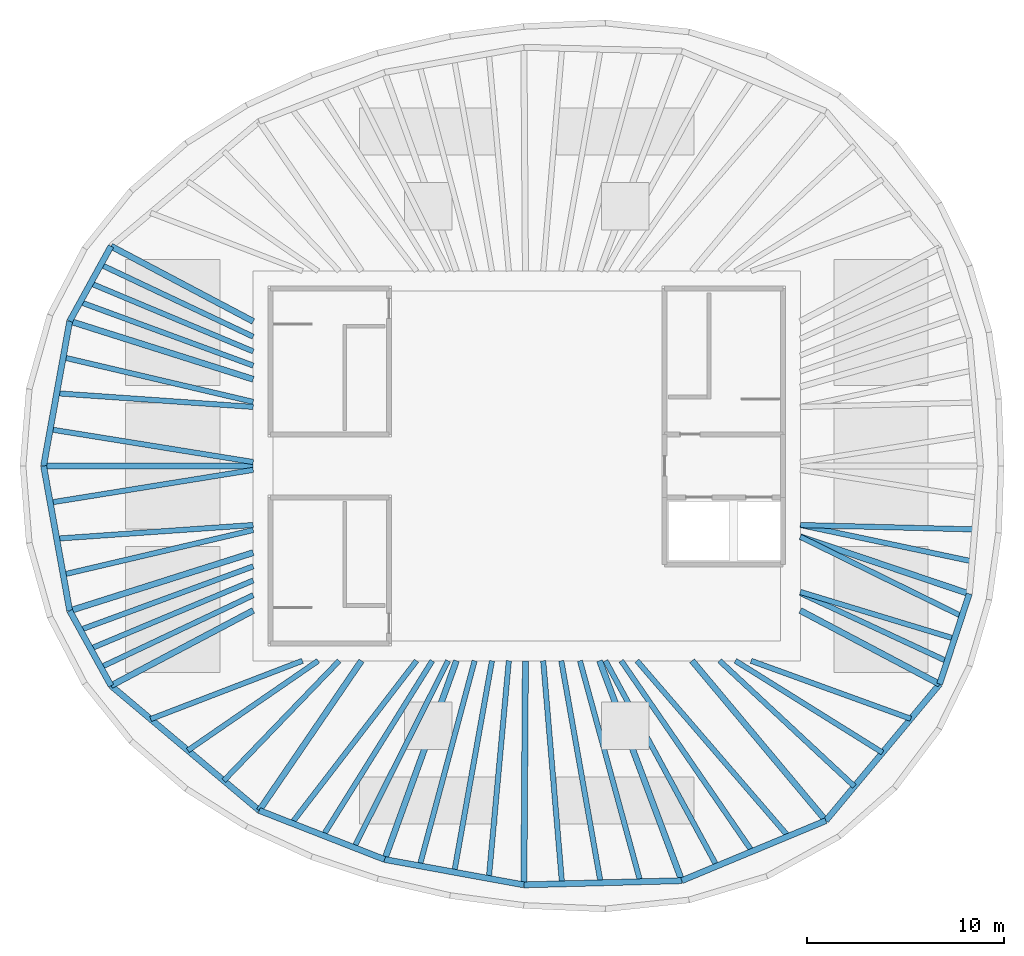
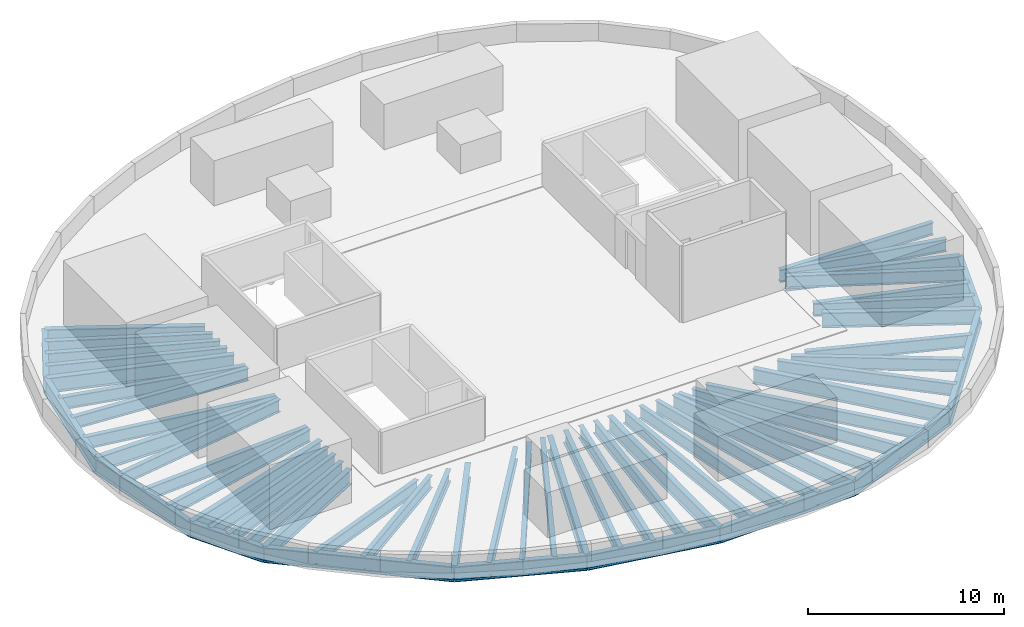
# One storey, part 1 of 6: 58 beams.
"""IFC4 building model written with IfcOpenShell, lengths in metres."""

from ifc_helpers import new_model, si_unit, direction, frame, origin, origin_2d, place, context, subcontext, project, spatial, i_section, extrude, material, material_profile, profile_set, type_object, element, save


model = new_model("IFC4")

# Units and contexts
model_context = context("Model", 3, precision=1e-05, world=origin(), true_north=direction((0.0, 1.0)))
body_context = subcontext(model_context, "Body", "Model", "MODEL_VIEW")
ifc_project = project(units=[si_unit("LENGTHUNIT", "METRE"), si_unit("AREAUNIT", "SQUARE_METRE"), si_unit("VOLUMEUNIT", "CUBIC_METRE"), si_unit("PLANEANGLEUNIT", "RADIAN"), si_unit("MASSUNIT", "GRAM", prefix="KILO")], contexts=[model_context])

# Site, building, storey
site_placement = place(None, origin())
site = spatial("IfcSite", under=ifc_project, at=site_placement, CompositionType="ELEMENT")
building_placement = place(site_placement, origin())
building = spatial("IfcBuilding", under=site, at=building_placement, Name="Ghaith Harvest Tower", CompositionType="ELEMENT")
storey_placement = place(building_placement, frame((0.0, 0.0, 349.199951171875)))
storey = spatial("IfcBuildingStorey", under=building, at=storey_placement, Name="RF", CompositionType="ELEMENT", Elevation=349.199951171875)

# Beams
ifc_material_1 = material(Name="Steel ASTM A992 Grade 50", Category="steel")
ifc_material_profile_1 = material_profile(ifc_material_1, i_section(OverallWidth=0.306884765625, OverallDepth=0.94189453125, WebThickness=0.022216796875, FlangeThickness=0.039794921875, at=origin_2d()), Name="W920X345")
ifc_profile_set_1 = profile_set([ifc_material_profile_1], Name="Steel ASTM A992 Grade 50")
beam_type_1 = type_object("IfcBeamType", Name="E920-345 W920X345", PredefinedType="SPANDREL", material=ifc_profile_set_1)
beam_1_placement = place(storey_placement, frame((-21.125, 11.166015625, -0.821044921875), z_axis=(-0.482955575345, -0.875644855089, 0.0), x_axis=(0.875644855089, -0.482955575345, 0.0)))
element("IfcBeam", 1, at=beam_1_placement, inside=storey, type_object=beam_type_1, Name="Edge beam E09 RF", PredefinedType="SPANDREL", context=body_context, shape_type="SweptSolid", body=[
    extrude(i_section(OverallWidth=0.306884765625, OverallDepth=0.94189453125, WebThickness=0.022216796875, FlangeThickness=0.039794921875, at=origin_2d()), origin(), (0.0, 0.0, 1.0), 4.346435546875),
])
for number, where, z_axis, x_axis, name in (
    (2, (-23.22412109375, 7.360107421875, -0.821044921875), (-0.177296554745, -0.984157473007, 0.0), (0.984157473007, -0.177296554745, 0.0), "Edge beam E10 RF"),
    (3, (-24.550048828125, 0.0, -0.821044921875), (0.177296554745, -0.984157473007, 0.0), (0.984157473007, 0.177296554745, 0.0), "Edge beam E11 RF"),
):
    element("IfcBeam", number, at=place(storey_placement, frame(where, z_axis=z_axis, x_axis=x_axis)), inside=storey, type_object=beam_type_1, Name=name, PredefinedType="SPANDREL", context=body_context, shape_type="SweptSolid", body=[
        extrude(i_section(OverallWidth=0.306884765625, OverallDepth=0.94189453125, WebThickness=0.022216796875, FlangeThickness=0.039794921875, at=origin_2d()), origin(), (0.0, 0.0, 1.0), 7.478515625),
    ])
beam_2_placement = place(storey_placement, frame((-23.22412109375, -7.360107421875, -0.821044921875), z_axis=(0.482955575345, -0.875644855089, 0.0), x_axis=(0.875644855089, 0.482955575345, 0.0)))
element("IfcBeam", 4, at=beam_2_placement, inside=storey, type_object=beam_type_1, Name="Edge beam E12 RF", PredefinedType="SPANDREL", context=body_context, shape_type="SweptSolid", body=[
    extrude(i_section(OverallWidth=0.306884765625, OverallDepth=0.94189453125, WebThickness=0.022216796875, FlangeThickness=0.039794921875, at=origin_2d()), origin(), (0.0, 0.0, 1.0), 4.346435546875),
])
beam_3_placement = place(storey_placement, frame((-21.125, -11.166015625, -0.821044921875), z_axis=(0.765021818761, -0.64400436087, 0.0), x_axis=(0.64400436087, 0.765021818761, 0.0)))
element("IfcBeam", 5, at=beam_3_placement, inside=storey, type_object=beam_type_1, Name="Edge beam E13 RF", PredefinedType="SPANDREL", context=body_context, shape_type="SweptSolid", body=[
    extrude(i_section(OverallWidth=0.306884765625, OverallDepth=0.94189453125, WebThickness=0.022216796875, FlangeThickness=0.039794921875, at=origin_2d()), origin(), (0.0, 0.0, 1.0), 9.8427734375),
])
beam_4_placement = place(storey_placement, frame((-13.594970703125, -17.5048828125, -0.821044921875), z_axis=(0.931322768207, -0.364194867371, 0.0), x_axis=(0.364194867371, 0.931322768207, 0.0)))
element("IfcBeam", 6, at=beam_4_placement, inside=storey, type_object=beam_type_1, Name="Edge beam E14 RF", PredefinedType="SPANDREL", context=body_context, shape_type="SweptSolid", body=[
    extrude(i_section(OverallWidth=0.306884765625, OverallDepth=0.94189453125, WebThickness=0.022216796875, FlangeThickness=0.039794921875, at=origin_2d()), origin(), (0.0, 0.0, 1.0), 6.843017578125),
])
beam_5_placement = place(storey_placement, frame((-7.221923828125, -19.9970703125, -0.821044921875), z_axis=(0.983813921429, -0.179193102551, 0.0), x_axis=(0.179193102551, 0.983813921429, 0.0)))
element("IfcBeam", 7, at=beam_5_placement, inside=storey, type_object=beam_type_1, Name="Edge beam E15 RF", PredefinedType="SPANDREL", context=body_context, shape_type="SweptSolid", body=[
    extrude(i_section(OverallWidth=0.306884765625, OverallDepth=0.94189453125, WebThickness=0.022216796875, FlangeThickness=0.039794921875, at=origin_2d()), origin(), (0.0, 0.0, 1.0), 7.1923828125),
])
beam_6_placement = place(storey_placement, frame((-0.14599609375, -21.285888671875, -0.821044921875), z_axis=(0.999644979696, 0.02664422206, 0.0), x_axis=(-0.02664422206, 0.999644979696, 0.0)))
element("IfcBeam", 8, at=beam_6_placement, inside=storey, type_object=beam_type_1, Name="Edge beam E16 RF", PredefinedType="SPANDREL", context=body_context, shape_type="SweptSolid", body=[
    extrude(i_section(OverallWidth=0.306884765625, OverallDepth=0.94189453125, WebThickness=0.022216796875, FlangeThickness=0.039794921875, at=origin_2d()), origin(), (0.0, 0.0, 1.0), 8.02685546875),
])
beam_7_placement = place(storey_placement, frame((7.8779296875, -21.072021484375, -0.821044921875), z_axis=(0.923119729219, 0.384512633766, 0.0), x_axis=(-0.384512633766, 0.923119729219, 0.0)))
element("IfcBeam", 9, at=beam_7_placement, inside=storey, type_object=beam_type_1, Name="Edge beam E17 RF", PredefinedType="SPANDREL", context=body_context, shape_type="SweptSolid", body=[
    extrude(i_section(OverallWidth=0.306884765625, OverallDepth=0.94189453125, WebThickness=0.022216796875, FlangeThickness=0.039794921875, at=origin_2d()), origin(), (0.0, 0.0, 1.0), 7.9296875),
])
beam_8_placement = place(storey_placement, frame((15.197998046875, -18.02294921875, -0.821044921875), z_axis=(0.640173759088, 0.76823014662, 0.0), x_axis=(-0.76823014662, 0.640173759088, 0.0)))
element("IfcBeam", 10, at=beam_8_placement, inside=storey, type_object=beam_type_1, Name="Edge beam E18 RF", PredefinedType="SPANDREL", context=body_context, shape_type="SweptSolid", body=[
    extrude(i_section(OverallWidth=0.306884765625, OverallDepth=0.94189453125, WebThickness=0.022216796875, FlangeThickness=0.039794921875, at=origin_2d()), origin(), (0.0, 0.0, 1.0), 9.02734375),
])
beam_9_placement = place(storey_placement, frame((20.97705078125, -11.087890625, -0.821044921875), z_axis=(0.312206727278, 0.950014189074, 0.0), x_axis=(-0.950014189074, 0.312206727278, 0.0)))
element("IfcBeam", 11, at=beam_9_placement, inside=storey, type_object=beam_type_1, Name="Edge beam E19 RF", PredefinedType="SPANDREL", context=body_context, shape_type="SweptSolid", body=[
    extrude(i_section(OverallWidth=0.306884765625, OverallDepth=0.94189453125, WebThickness=0.022216796875, FlangeThickness=0.039794921875, at=origin_2d()), origin(), (0.0, 0.0, 1.0), 4.830322265625),
])
ifc_material_2 = material(Name="Steel ASTM A992 Grade 50", Category="steel")
ifc_material_profile_2 = material_profile(ifc_material_2, i_section(OverallWidth=0.31005859375, OverallDepth=0.927001953125, WebThickness=0.019287109375, FlangeThickness=0.031982421875, at=origin_2d()), Name="W920X289")
ifc_profile_set_2 = profile_set([ifc_material_profile_2], Name="Steel ASTM A992 Grade 50")
beam_type_2 = type_object("IfcBeamType", Name="G920-289 W920X289", PredefinedType="BEAM", material=ifc_profile_set_2)
beam_10_placement = place(storey_placement, frame((-13.89990234375, 7.34716796875, -0.8134765625), z_axis=(-0.88410164037, 0.467294649546, 0.0), x_axis=(-0.467294649546, -0.88410164037, 0.0)))
element("IfcBeam", 12, at=beam_10_placement, inside=storey, type_object=beam_type_2, Name="Radial girder G09 RF", PredefinedType="BEAM", context=body_context, shape_type="SweptSolid", body=[
    extrude(i_section(OverallWidth=0.31005859375, OverallDepth=0.927001953125, WebThickness=0.019287109375, FlangeThickness=0.031982421875, at=origin_2d()), origin(), (0.0, 0.0, 1.0), 8.17236328125),
])
beam_11_placement = place(storey_placement, frame((-13.89990234375, 4.4052734375, -0.8134765625), z_axis=(-0.953278508772, 0.302092841215, 0.0), x_axis=(-0.302092841215, -0.953278508772, 0.0)))
element("IfcBeam", 13, at=beam_11_placement, inside=storey, type_object=beam_type_2, Name="Radial girder G10 RF", PredefinedType="BEAM", context=body_context, shape_type="SweptSolid", body=[
    extrude(i_section(OverallWidth=0.31005859375, OverallDepth=0.927001953125, WebThickness=0.019287109375, FlangeThickness=0.031982421875, at=origin_2d()), origin(), (0.0, 0.0, 1.0), 9.78125),
])
beam_12_placement = place(storey_placement, frame((-13.89990234375, 0.0, -0.8134765625), z_axis=(-1.0, 0.0, 0.0), x_axis=(0.0, -1.0, 0.0)))
element("IfcBeam", 14, at=beam_12_placement, inside=storey, type_object=beam_type_2, Name="Radial girder G11 RF", PredefinedType="BEAM", context=body_context, shape_type="SweptSolid", body=[
    extrude(i_section(OverallWidth=0.31005859375, OverallDepth=0.927001953125, WebThickness=0.019287109375, FlangeThickness=0.031982421875, at=origin_2d()), origin(), (0.0, 0.0, 1.0), 10.650146484375),
])
beam_13_placement = place(storey_placement, frame((-13.89990234375, -4.4052734375, -0.8134765625), z_axis=(-0.953278508772, -0.302092841215, 0.0), x_axis=(0.302092841215, -0.953278508772, 0.0)))
element("IfcBeam", 15, at=beam_13_placement, inside=storey, type_object=beam_type_2, Name="Radial girder G12 RF", PredefinedType="BEAM", context=body_context, shape_type="SweptSolid", body=[
    extrude(i_section(OverallWidth=0.31005859375, OverallDepth=0.927001953125, WebThickness=0.019287109375, FlangeThickness=0.031982421875, at=origin_2d()), origin(), (0.0, 0.0, 1.0), 9.78125),
])
beam_14_placement = place(storey_placement, frame((-13.89990234375, -7.34716796875, -0.8134765625), z_axis=(-0.88410164037, -0.467294649546, 0.0), x_axis=(0.467294649546, -0.88410164037, 0.0)))
element("IfcBeam", 16, at=beam_14_placement, inside=storey, type_object=beam_type_2, Name="Radial girder G13 RF", PredefinedType="BEAM", context=body_context, shape_type="SweptSolid", body=[
    extrude(i_section(OverallWidth=0.31005859375, OverallDepth=0.927001953125, WebThickness=0.019287109375, FlangeThickness=0.031982421875, at=origin_2d()), origin(), (0.0, 0.0, 1.0), 8.17236328125),
])
beam_15_placement = place(storey_placement, frame((-8.39990234375, -9.89990234375, -0.8134765625), z_axis=(-0.564067018201, -0.825729010619, 0.0), x_axis=(0.825729010619, -0.564067018201, 0.0)))
element("IfcBeam", 17, at=beam_15_placement, inside=storey, type_object=beam_type_2, Name="Radial girder G14 RF", PredefinedType="BEAM", context=body_context, shape_type="SweptSolid", body=[
    extrude(i_section(OverallWidth=0.31005859375, OverallDepth=0.927001953125, WebThickness=0.019287109375, FlangeThickness=0.031982421875, at=origin_2d()), origin(), (0.0, 0.0, 1.0), 9.2099609375),
])
beam_16_placement = place(storey_placement, frame((-3.57568359375, -9.89990234375, -0.8134765625), z_axis=(-0.339647816823, -0.940552688863, 0.0), x_axis=(0.940552688863, -0.339647816823, 0.0)))
element("IfcBeam", 18, at=beam_16_placement, inside=storey, type_object=beam_type_2, Name="Radial girder G15 RF", PredefinedType="BEAM", context=body_context, shape_type="SweptSolid", body=[
    extrude(i_section(OverallWidth=0.31005859375, OverallDepth=0.927001953125, WebThickness=0.019287109375, FlangeThickness=0.031982421875, at=origin_2d()), origin(), (0.0, 0.0, 1.0), 10.7353515625),
])
beam_17_placement = place(storey_placement, frame((-0.06787109375, -9.89990234375, -0.8134765625), z_axis=(-0.006861343299, -0.999976460707, 0.0), x_axis=(0.999976460707, -0.006861343299, 0.0)))
element("IfcBeam", 19, at=beam_17_placement, inside=storey, type_object=beam_type_2, Name="Radial girder G16 RF", PredefinedType="BEAM", context=body_context, shape_type="SweptSolid", body=[
    extrude(i_section(OverallWidth=0.31005859375, OverallDepth=0.927001953125, WebThickness=0.019287109375, FlangeThickness=0.031982421875, at=origin_2d()), origin(), (0.0, 0.0, 1.0), 11.38623046875),
])
beam_18_placement = place(storey_placement, frame((3.700927734375, -9.89990234375, -0.8134765625), z_axis=(0.350201332531, -0.936674450753, 0.0), x_axis=(0.936674450753, 0.350201332531, 0.0)))
element("IfcBeam", 20, at=beam_18_placement, inside=storey, type_object=beam_type_2, Name="Radial girder G17 RF", PredefinedType="BEAM", context=body_context, shape_type="SweptSolid", body=[
    extrude(i_section(OverallWidth=0.31005859375, OverallDepth=0.927001953125, WebThickness=0.019287109375, FlangeThickness=0.031982421875, at=origin_2d()), origin(), (0.0, 0.0, 1.0), 11.927490234375),
])
beam_19_placement = place(storey_placement, frame((8.39990234375, -9.89990234375, -0.8134765625), z_axis=(0.641792628883, -0.766878231215, 0.0), x_axis=(0.766878231215, 0.641792628883, 0.0)))
element("IfcBeam", 21, at=beam_19_placement, inside=storey, type_object=beam_type_2, Name="Radial girder G18 RF", PredefinedType="BEAM", context=body_context, shape_type="SweptSolid", body=[
    extrude(i_section(OverallWidth=0.31005859375, OverallDepth=0.927001953125, WebThickness=0.019287109375, FlangeThickness=0.031982421875, at=origin_2d()), origin(), (0.0, 0.0, 1.0), 10.59228515625),
])
beam_20_placement = place(storey_placement, frame((13.89990234375, -7.34716796875, -0.8134765625), z_axis=(0.884097820364, -0.467301876764, 0.0), x_axis=(0.467301876764, 0.884097820364, 0.0)))
element("IfcBeam", 22, at=beam_20_placement, inside=storey, type_object=beam_type_2, Name="Radial girder G19 RF", PredefinedType="BEAM", context=body_context, shape_type="SweptSolid", body=[
    extrude(i_section(OverallWidth=0.31005859375, OverallDepth=0.927001953125, WebThickness=0.019287109375, FlangeThickness=0.031982421875, at=origin_2d()), origin(), (0.0, 0.0, 1.0), 8.0048828125),
])
beam_21_placement = place(storey_placement, frame((13.89990234375, -3.60009765625, -0.8134765625), z_axis=(0.947444819082, -0.319919231673, 0.0), x_axis=(0.319919231673, 0.947444819082, 0.0)))
element("IfcBeam", 23, at=beam_21_placement, inside=storey, type_object=beam_type_2, Name="Radial girder G20 RF", PredefinedType="BEAM", context=body_context, shape_type="SweptSolid", body=[
    extrude(i_section(OverallWidth=0.31005859375, OverallDepth=0.927001953125, WebThickness=0.019287109375, FlangeThickness=0.031982421875, at=origin_2d()), origin(), (0.0, 0.0, 1.0), 9.0615234375),
])
ifc_material_3 = material(Name="Steel ASTM A992 Grade 50", Category="steel")
ifc_material_profile_3 = material_profile(ifc_material_3, i_section(OverallWidth=0.26806640625, OverallDepth=0.77001953125, WebThickness=0.015625, FlangeThickness=0.025390625, at=origin_2d()), Name="W760X196")
ifc_profile_set_3 = profile_set([ifc_material_profile_3], Name="Steel ASTM A992 Grade 50")
beam_type_3 = type_object("IfcBeamType", Name="J760-196 W760X196", PredefinedType="JOIST", material=ifc_profile_set_3)
beam_22_placement = place(storey_placement, frame((-13.89990234375, 6.56787109375, -0.73486328125), z_axis=(-0.904165769726, 0.427181765594, 0.0), x_axis=(-0.427181765594, -0.904165769726, 0.0)))
element("IfcBeam", 24, at=beam_22_placement, inside=storey, type_object=beam_type_3, Name="Joist J09.1 RF", PredefinedType="JOIST", context=body_context, shape_type="SweptSolid", body=[
    extrude(i_section(OverallWidth=0.26806640625, OverallDepth=0.77001953125, WebThickness=0.015625, FlangeThickness=0.025390625, at=origin_2d()), origin(), (0.0, 0.0, 1.0), 8.564208984375),
])
beam_23_placement = place(storey_placement, frame((-13.89990234375, 5.82080078125, -0.73486328125), z_axis=(-0.922394258818, 0.38624970071, 0.0), x_axis=(-0.38624970071, -0.922394258818, 0.0)))
element("IfcBeam", 25, at=beam_23_placement, inside=storey, type_object=beam_type_3, Name="Joist J09.2 RF", PredefinedType="JOIST", context=body_context, shape_type="SweptSolid", body=[
    extrude(i_section(OverallWidth=0.26806640625, OverallDepth=0.77001953125, WebThickness=0.015625, FlangeThickness=0.025390625, at=origin_2d()), origin(), (0.0, 0.0, 1.0), 8.959716796875),
])
beam_24_placement = place(storey_placement, frame((-13.89990234375, 5.101318359375, -0.73486328125), z_axis=(-0.938776837502, 0.34452583266, 0.0), x_axis=(-0.34452583266, -0.938776837502, 0.0)))
element("IfcBeam", 26, at=beam_24_placement, inside=storey, type_object=beam_type_3, Name="Joist J09.3 RF", PredefinedType="JOIST", context=body_context, shape_type="SweptSolid", body=[
    extrude(i_section(OverallWidth=0.26806640625, OverallDepth=0.77001953125, WebThickness=0.015625, FlangeThickness=0.025390625, at=origin_2d()), origin(), (0.0, 0.0, 1.0), 9.36376953125),
])
beam_25_placement = place(storey_placement, frame((-13.89990234375, 3.257080078125, -0.73486328125), z_axis=(-0.973623403271, 0.228161058472, 0.0), x_axis=(-0.228161058472, -0.973623403271, 0.0)))
element("IfcBeam", 27, at=beam_25_placement, inside=storey, type_object=beam_type_3, Name="Joist J10.1 RF", PredefinedType="JOIST", context=body_context, shape_type="SweptSolid", body=[
    extrude(i_section(OverallWidth=0.26806640625, OverallDepth=0.77001953125, WebThickness=0.015625, FlangeThickness=0.025390625, at=origin_2d()), origin(), (0.0, 0.0, 1.0), 9.9169921875),
])
beam_26_placement = place(storey_placement, frame((-13.89990234375, 3.0, -0.73486328125), z_axis=(-0.997592478057, 0.069348739886, 0.0), x_axis=(-0.069348739886, -0.997592478057, 0.0)))
element("IfcBeam", 28, at=beam_26_placement, inside=storey, type_object=beam_type_3, Name="Joist J10.2 RF", PredefinedType="JOIST", context=body_context, shape_type="SweptSolid", body=[
    extrude(i_section(OverallWidth=0.26806640625, OverallDepth=0.77001953125, WebThickness=0.015625, FlangeThickness=0.025390625, at=origin_2d()), origin(), (0.0, 0.0, 1.0), 10.0087890625),
])
for number, where, z_axis, x_axis, name in (
    (29, (-13.89990234375, 0.199951171875, -0.73486328125), (-0.987271793524, 0.159042150743, 0.0), (-0.159042150743, -0.987271793524, 0.0), "Joist J10.3 RF"),
    (30, (-13.89990234375, -0.199951171875, -0.73486328125), (-0.987271793524, -0.159042150743, 0.0), (0.159042150743, -0.987271793524, 0.0), "Joist J11.1 RF"),
):
    element("IfcBeam", number, at=place(storey_placement, frame(where, z_axis=z_axis, x_axis=x_axis)), inside=storey, type_object=beam_type_3, Name=name, PredefinedType="JOIST", context=body_context, shape_type="SweptSolid", body=[
        extrude(i_section(OverallWidth=0.26806640625, OverallDepth=0.77001953125, WebThickness=0.015625, FlangeThickness=0.025390625, at=origin_2d()), origin(), (0.0, 0.0, 1.0), 10.44775390625),
    ])
beam_27_placement = place(storey_placement, frame((-13.89990234375, -3.0, -0.73486328125), z_axis=(-0.997592478057, -0.069348739886, 0.0), x_axis=(0.069348739886, -0.997592478057, 0.0)))
element("IfcBeam", 31, at=beam_27_placement, inside=storey, type_object=beam_type_3, Name="Joist J11.2 RF", PredefinedType="JOIST", context=body_context, shape_type="SweptSolid", body=[
    extrude(i_section(OverallWidth=0.26806640625, OverallDepth=0.77001953125, WebThickness=0.015625, FlangeThickness=0.025390625, at=origin_2d()), origin(), (0.0, 0.0, 1.0), 10.0087890625),
])
beam_28_placement = place(storey_placement, frame((-13.89990234375, -3.257080078125, -0.73486328125), z_axis=(-0.973623403271, -0.228161058472, 0.0), x_axis=(0.228161058472, -0.973623403271, 0.0)))
element("IfcBeam", 32, at=beam_28_placement, inside=storey, type_object=beam_type_3, Name="Joist J11.3 RF", PredefinedType="JOIST", context=body_context, shape_type="SweptSolid", body=[
    extrude(i_section(OverallWidth=0.26806640625, OverallDepth=0.77001953125, WebThickness=0.015625, FlangeThickness=0.025390625, at=origin_2d()), origin(), (0.0, 0.0, 1.0), 9.9169921875),
])
beam_29_placement = place(storey_placement, frame((-13.89990234375, -5.101318359375, -0.73486328125), z_axis=(-0.938776837502, -0.34452583266, 0.0), x_axis=(0.34452583266, -0.938776837502, 0.0)))
element("IfcBeam", 33, at=beam_29_placement, inside=storey, type_object=beam_type_3, Name="Joist J12.1 RF", PredefinedType="JOIST", context=body_context, shape_type="SweptSolid", body=[
    extrude(i_section(OverallWidth=0.26806640625, OverallDepth=0.77001953125, WebThickness=0.015625, FlangeThickness=0.025390625, at=origin_2d()), origin(), (0.0, 0.0, 1.0), 9.36376953125),
])
beam_30_placement = place(storey_placement, frame((-13.89990234375, -5.82080078125, -0.73486328125), z_axis=(-0.922394258818, -0.38624970071, 0.0), x_axis=(0.38624970071, -0.922394258818, 0.0)))
element("IfcBeam", 34, at=beam_30_placement, inside=storey, type_object=beam_type_3, Name="Joist J12.2 RF", PredefinedType="JOIST", context=body_context, shape_type="SweptSolid", body=[
    extrude(i_section(OverallWidth=0.26806640625, OverallDepth=0.77001953125, WebThickness=0.015625, FlangeThickness=0.025390625, at=origin_2d()), origin(), (0.0, 0.0, 1.0), 8.959716796875),
])
beam_31_placement = place(storey_placement, frame((-13.89990234375, -6.56787109375, -0.73486328125), z_axis=(-0.904165769726, -0.427181765594, 0.0), x_axis=(0.427181765594, -0.904165769726, 0.0)))
element("IfcBeam", 35, at=beam_31_placement, inside=storey, type_object=beam_type_3, Name="Joist J12.3 RF", PredefinedType="JOIST", context=body_context, shape_type="SweptSolid", body=[
    extrude(i_section(OverallWidth=0.26806640625, OverallDepth=0.77001953125, WebThickness=0.015625, FlangeThickness=0.025390625, at=origin_2d()), origin(), (0.0, 0.0, 1.0), 8.564208984375),
])
beam_32_placement = place(storey_placement, frame((-11.39990234375, -9.89990234375, -0.73486328125), z_axis=(-0.933583045329, -0.358361127181, 0.0), x_axis=(0.358361127181, -0.933583045329, 0.0)))
element("IfcBeam", 36, at=beam_32_placement, inside=storey, type_object=beam_type_3, Name="Joist J13.1 RF", PredefinedType="JOIST", context=body_context, shape_type="SweptSolid", body=[
    extrude(i_section(OverallWidth=0.26806640625, OverallDepth=0.77001953125, WebThickness=0.015625, FlangeThickness=0.025390625, at=origin_2d()), origin(), (0.0, 0.0, 1.0), 8.260986328125),
])
beam_33_placement = place(storey_placement, frame((-10.60009765625, -9.89990234375, -0.73486328125), z_axis=(-0.823778502511, -0.566911791023, 0.0), x_axis=(0.566911791023, -0.823778502511, 0.0)))
element("IfcBeam", 37, at=beam_33_placement, inside=storey, type_object=beam_type_3, Name="Joist J13.2 RF", PredefinedType="JOIST", context=body_context, shape_type="SweptSolid", body=[
    extrude(i_section(OverallWidth=0.26806640625, OverallDepth=0.77001953125, WebThickness=0.015625, FlangeThickness=0.025390625, at=origin_2d()), origin(), (0.0, 0.0, 1.0), 8.0341796875),
])
beam_34_placement = place(storey_placement, frame((-9.530517578125, -9.89990234375, -0.73486328125), z_axis=(-0.693536238632, -0.720421741554, 0.0), x_axis=(0.720421741554, -0.693536238632, 0.0)))
element("IfcBeam", 38, at=beam_34_placement, inside=storey, type_object=beam_type_3, Name="Joist J13.3 RF", PredefinedType="JOIST", context=body_context, shape_type="SweptSolid", body=[
    extrude(i_section(OverallWidth=0.26806640625, OverallDepth=0.77001953125, WebThickness=0.015625, FlangeThickness=0.025390625, at=origin_2d()), origin(), (0.0, 0.0, 1.0), 8.4541015625),
])
beam_35_placement = place(storey_placement, frame((-5.60009765625, -9.89990234375, -0.73486328125), z_axis=(-0.609353577926, -0.792898617144, 0.0), x_axis=(0.792898617144, -0.609353577926, 0.0)))
element("IfcBeam", 39, at=beam_35_placement, inside=storey, type_object=beam_type_3, Name="Joist J14.1 RF", PredefinedType="JOIST", context=body_context, shape_type="SweptSolid", body=[
    extrude(i_section(OverallWidth=0.26806640625, OverallDepth=0.77001953125, WebThickness=0.015625, FlangeThickness=0.025390625, at=origin_2d()), origin(), (0.0, 0.0, 1.0), 10.406982421875),
])
beam_36_placement = place(storey_placement, frame((-4.800048828125, -9.89990234375, -0.73486328125), z_axis=(-0.529596254905, -0.848249849273, 0.0), x_axis=(0.848249849273, -0.529596254905, 0.0)))
element("IfcBeam", 40, at=beam_36_placement, inside=storey, type_object=beam_type_3, Name="Joist J14.2 RF", PredefinedType="JOIST", context=body_context, shape_type="SweptSolid", body=[
    extrude(i_section(OverallWidth=0.26806640625, OverallDepth=0.77001953125, WebThickness=0.015625, FlangeThickness=0.025390625, at=origin_2d()), origin(), (0.0, 0.0, 1.0), 10.465087890625),
])
beam_37_placement = place(storey_placement, frame((-4.0, -9.89990234375, -0.73486328125), z_axis=(-0.449556131123, -0.893252083664, 0.0), x_axis=(0.893252083664, -0.449556131123, 0.0)))
element("IfcBeam", 41, at=beam_37_placement, inside=storey, type_object=beam_type_3, Name="Joist J14.3 RF", PredefinedType="JOIST", context=body_context, shape_type="SweptSolid", body=[
    extrude(i_section(OverallWidth=0.26806640625, OverallDepth=0.77001953125, WebThickness=0.015625, FlangeThickness=0.025390625, at=origin_2d()), origin(), (0.0, 0.0, 1.0), 10.62353515625),
])
beam_38_placement = place(storey_placement, frame((-2.651123046875, -9.89990234375, -0.73486328125), z_axis=(-0.258678019609, -0.965963602923, 0.0), x_axis=(0.965963602923, -0.258678019609, 0.0)))
element("IfcBeam", 42, at=beam_38_placement, inside=storey, type_object=beam_type_3, Name="Joist J15.1 RF", PredefinedType="JOIST", context=body_context, shape_type="SweptSolid", body=[
    extrude(i_section(OverallWidth=0.26806640625, OverallDepth=0.77001953125, WebThickness=0.015625, FlangeThickness=0.025390625, at=origin_2d()), origin(), (0.0, 0.0, 1.0), 10.78857421875),
])
beam_39_placement = place(storey_placement, frame((-1.76806640625, -9.89990234375, -0.73486328125), z_axis=(-0.175803029262, -0.984425362789, 0.0), x_axis=(0.984425362789, -0.175803029262, 0.0)))
element("IfcBeam", 43, at=beam_39_placement, inside=storey, type_object=beam_type_3, Name="Joist J15.2 RF", PredefinedType="JOIST", context=body_context, shape_type="SweptSolid", body=[
    extrude(i_section(OverallWidth=0.26806640625, OverallDepth=0.77001953125, WebThickness=0.015625, FlangeThickness=0.025390625, at=origin_2d()), origin(), (0.0, 0.0, 1.0), 10.9111328125),
])
beam_40_placement = place(storey_placement, frame((-0.9111328125, -9.89990234375, -0.73486328125), z_axis=(-0.091651380942, -0.995791154998, 0.0), x_axis=(0.995791154998, -0.091651380942, 0.0)))
element("IfcBeam", 44, at=beam_40_placement, inside=storey, type_object=beam_type_3, Name="Joist J15.3 RF", PredefinedType="JOIST", context=body_context, shape_type="SweptSolid", body=[
    extrude(i_section(OverallWidth=0.26806640625, OverallDepth=0.77001953125, WebThickness=0.015625, FlangeThickness=0.025390625, at=origin_2d()), origin(), (0.0, 0.0, 1.0), 11.10791015625),
])
beam_41_placement = place(storey_placement, frame((0.836669921875, -9.89990234375, -0.73486328125), z_axis=(0.084201795166, -0.996448723061, 0.0), x_axis=(0.996448723061, 0.084201795166, 0.0)))
element("IfcBeam", 45, at=beam_41_placement, inside=storey, type_object=beam_type_3, Name="Joist J16.1 RF", PredefinedType="JOIST", context=body_context, shape_type="SweptSolid", body=[
    extrude(i_section(OverallWidth=0.26806640625, OverallDepth=0.77001953125, WebThickness=0.015625, FlangeThickness=0.025390625, at=origin_2d()), origin(), (0.0, 0.0, 1.0), 11.37451171875),
])
beam_42_placement = place(storey_placement, frame((1.7548828125, -9.89990234375, -0.73486328125), z_axis=(0.174572943493, -0.98464424408, 0.0), x_axis=(0.98464424408, 0.174572943493, 0.0)))
element("IfcBeam", 46, at=beam_42_placement, inside=storey, type_object=beam_type_3, Name="Joist J16.2 RF", PredefinedType="JOIST", context=body_context, shape_type="SweptSolid", body=[
    extrude(i_section(OverallWidth=0.26806640625, OverallDepth=0.77001953125, WebThickness=0.015625, FlangeThickness=0.025390625, at=origin_2d()), origin(), (0.0, 0.0, 1.0), 11.4580078125),
])
beam_43_placement = place(storey_placement, frame((2.70361328125, -9.89990234375, -0.73486328125), z_axis=(0.263468802698, -0.964667916956, 0.0), x_axis=(0.964667916956, 0.263468802698, 0.0)))
element("IfcBeam", 47, at=beam_43_placement, inside=storey, type_object=beam_type_3, Name="Joist J16.3 RF", PredefinedType="JOIST", context=body_context, shape_type="SweptSolid", body=[
    extrude(i_section(OverallWidth=0.26806640625, OverallDepth=0.77001953125, WebThickness=0.015625, FlangeThickness=0.025390625, at=origin_2d()), origin(), (0.0, 0.0, 1.0), 11.639404296875),
])
beam_44_placement = place(storey_placement, frame((4.0, -9.89990234375, -0.73486328125), z_axis=(0.476764926531, -0.879030832696, 0.0), x_axis=(0.879030832696, 0.476764926531, 0.0)))
element("IfcBeam", 48, at=beam_44_placement, inside=storey, type_object=beam_type_3, Name="Joist J17.1 RF", PredefinedType="JOIST", context=body_context, shape_type="SweptSolid", body=[
    extrude(i_section(OverallWidth=0.26806640625, OverallDepth=0.77001953125, WebThickness=0.015625, FlangeThickness=0.025390625, at=origin_2d()), origin(), (0.0, 0.0, 1.0), 11.866455078125),
])
beam_45_placement = place(storey_placement, frame((4.800048828125, -9.89990234375, -0.73486328125), z_axis=(0.566228035119, -0.824248634967, 0.0), x_axis=(0.824248634967, 0.566228035119, 0.0)))
element("IfcBeam", 49, at=beam_45_placement, inside=storey, type_object=beam_type_3, Name="Joist J17.2 RF", PredefinedType="JOIST", context=body_context, shape_type="SweptSolid", body=[
    extrude(i_section(OverallWidth=0.26806640625, OverallDepth=0.77001953125, WebThickness=0.015625, FlangeThickness=0.025390625, at=origin_2d()), origin(), (0.0, 0.0, 1.0), 11.748046875),
])
beam_46_placement = place(storey_placement, frame((5.60009765625, -9.89990234375, -0.73486328125), z_axis=(0.652992938501, -0.757363995888, 0.0), x_axis=(0.757363995888, 0.652992938501, 0.0)))
element("IfcBeam", 50, at=beam_46_placement, inside=storey, type_object=beam_type_3, Name="Joist J17.3 RF", PredefinedType="JOIST", context=body_context, shape_type="SweptSolid", body=[
    extrude(i_section(OverallWidth=0.26806640625, OverallDepth=0.77001953125, WebThickness=0.015625, FlangeThickness=0.025390625, at=origin_2d()), origin(), (0.0, 0.0, 1.0), 11.775390625),
])
beam_47_placement = place(storey_placement, frame((9.800048828125, -9.89990234375, -0.73486328125), z_axis=(0.73164904944, -0.681681500742, 0.0), x_axis=(0.681681500742, 0.73164904944, 0.0)))
element("IfcBeam", 51, at=beam_47_placement, inside=storey, type_object=beam_type_3, Name="Joist J18.1 RF", PredefinedType="JOIST", context=body_context, shape_type="SweptSolid", body=[
    extrude(i_section(OverallWidth=0.26806640625, OverallDepth=0.77001953125, WebThickness=0.015625, FlangeThickness=0.025390625, at=origin_2d()), origin(), (0.0, 0.0, 1.0), 9.361572265625),
])
beam_48_placement = place(storey_placement, frame((10.60009765625, -9.89990234375, -0.73486328125), z_axis=(0.84837619421, -0.52939383553, 0.0), x_axis=(0.52939383553, 0.84837619421, 0.0)))
element("IfcBeam", 52, at=beam_48_placement, inside=storey, type_object=beam_type_3, Name="Joist J18.2 RF", PredefinedType="JOIST", context=body_context, shape_type="SweptSolid", body=[
    extrude(i_section(OverallWidth=0.26806640625, OverallDepth=0.77001953125, WebThickness=0.015625, FlangeThickness=0.025390625, at=origin_2d()), origin(), (0.0, 0.0, 1.0), 8.814697265625),
])
beam_49_placement = place(storey_placement, frame((11.39990234375, -9.89990234375, -0.73486328125), z_axis=(0.939925501564, -0.341379629605, 0.0), x_axis=(0.341379629605, 0.939925501564, 0.0)))
element("IfcBeam", 53, at=beam_49_placement, inside=storey, type_object=beam_type_3, Name="Joist J18.3 RF", PredefinedType="JOIST", context=body_context, shape_type="SweptSolid", body=[
    extrude(i_section(OverallWidth=0.26806640625, OverallDepth=0.77001953125, WebThickness=0.015625, FlangeThickness=0.025390625, at=origin_2d()), origin(), (0.0, 0.0, 1.0), 8.630615234375),
])
beam_50_placement = place(storey_placement, frame((13.89990234375, -6.45947265625, -0.73486328125), z_axis=(0.906859906661, -0.42143221245, 0.0), x_axis=(0.42143221245, 0.906859906661, 0.0)))
element("IfcBeam", 54, at=beam_50_placement, inside=storey, type_object=beam_type_3, Name="Joist J19.1 RF", PredefinedType="JOIST", context=body_context, shape_type="SweptSolid", body=[
    extrude(i_section(OverallWidth=0.26806640625, OverallDepth=0.77001953125, WebThickness=0.015625, FlangeThickness=0.025390625, at=origin_2d()), origin(), (0.0, 0.0, 1.0), 8.22509765625),
])
beam_51_placement = place(storey_placement, frame((13.89990234375, -6.39990234375, -0.73486328125), z_axis=(0.9569197823, -0.290352424208, 0.0), x_axis=(0.290352424208, 0.9569197823, 0.0)))
element("IfcBeam", 55, at=beam_51_placement, inside=storey, type_object=beam_type_3, Name="Joist J19.2 RF", PredefinedType="JOIST", context=body_context, shape_type="SweptSolid", body=[
    extrude(i_section(OverallWidth=0.26806640625, OverallDepth=0.77001953125, WebThickness=0.015625, FlangeThickness=0.025390625, at=origin_2d()), origin(), (0.0, 0.0, 1.0), 8.18896484375),
])
beam_52_placement = place(storey_placement, frame((13.89990234375, -3.60009765625, -0.73486328125), z_axis=(0.89740088778, -0.441216099674, 0.0), x_axis=(0.441216099674, 0.89740088778, 0.0)))
element("IfcBeam", 56, at=beam_52_placement, inside=storey, type_object=beam_type_3, Name="Joist J19.3 RF", PredefinedType="JOIST", context=body_context, shape_type="SweptSolid", body=[
    extrude(i_section(OverallWidth=0.26806640625, OverallDepth=0.77001953125, WebThickness=0.015625, FlangeThickness=0.025390625, at=origin_2d()), origin(), (0.0, 0.0, 1.0), 9.14990234375),
])
beam_53_placement = place(storey_placement, frame((13.89990234375, -3.0, -0.73486328125), z_axis=(0.97833382446, -0.207033639579, 0.0), x_axis=(0.207033639579, 0.97833382446, 0.0)))
element("IfcBeam", 57, at=beam_53_placement, inside=storey, type_object=beam_type_3, Name="Joist J20.1 RF", PredefinedType="JOIST", context=body_context, shape_type="SweptSolid", body=[
    extrude(i_section(OverallWidth=0.26806640625, OverallDepth=0.77001953125, WebThickness=0.015625, FlangeThickness=0.025390625, at=origin_2d()), origin(), (0.0, 0.0, 1.0), 8.922119140625),
])
beam_54_placement = place(storey_placement, frame((13.89990234375, -3.0, -0.73486328125), z_axis=(0.999679533859, -0.025314612071, 0.0), x_axis=(0.025314612071, 0.999679533859, 0.0)))
element("IfcBeam", 58, at=beam_54_placement, inside=storey, type_object=beam_type_3, Name="Joist J20.2 RF", PredefinedType="JOIST", context=body_context, shape_type="SweptSolid", body=[
    extrude(i_section(OverallWidth=0.26806640625, OverallDepth=0.77001953125, WebThickness=0.015625, FlangeThickness=0.025390625, at=origin_2d()), origin(), (0.0, 0.0, 1.0), 8.872802734375),
])

save(model, "model.ifc")
